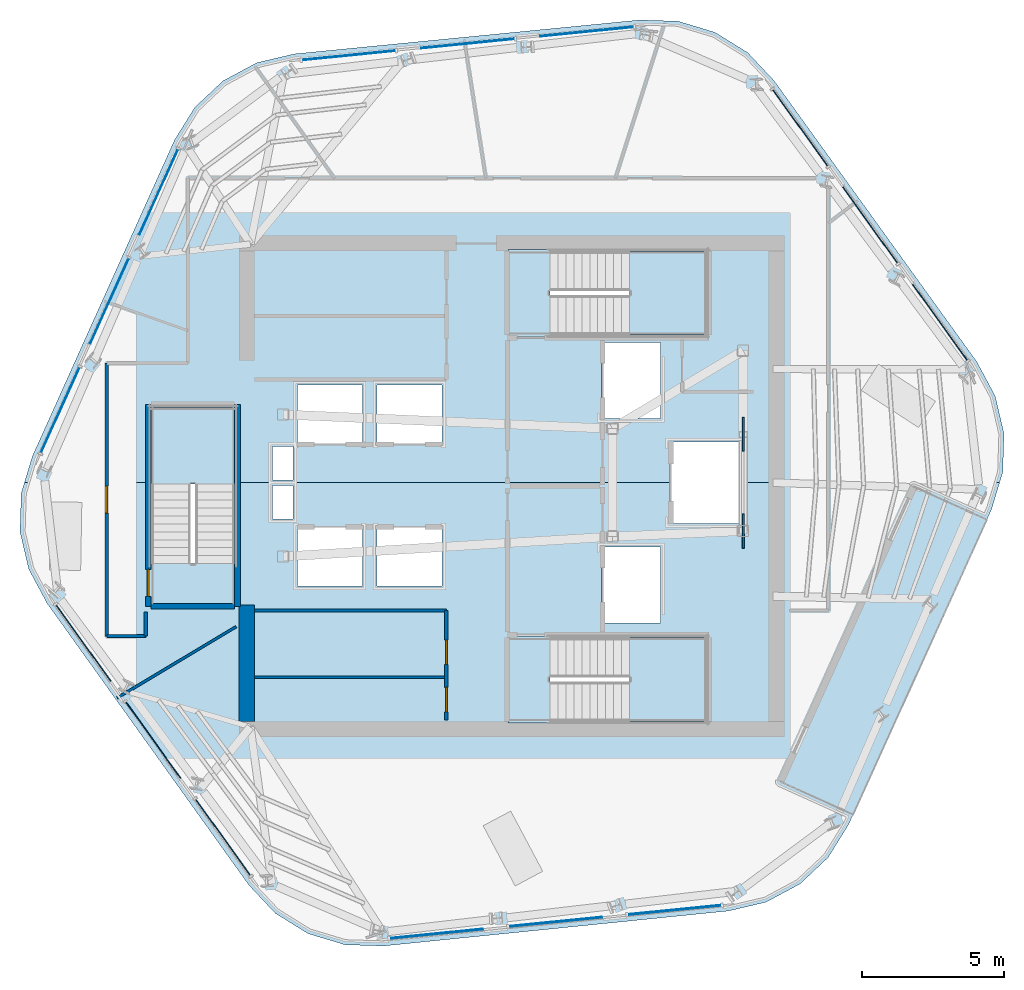
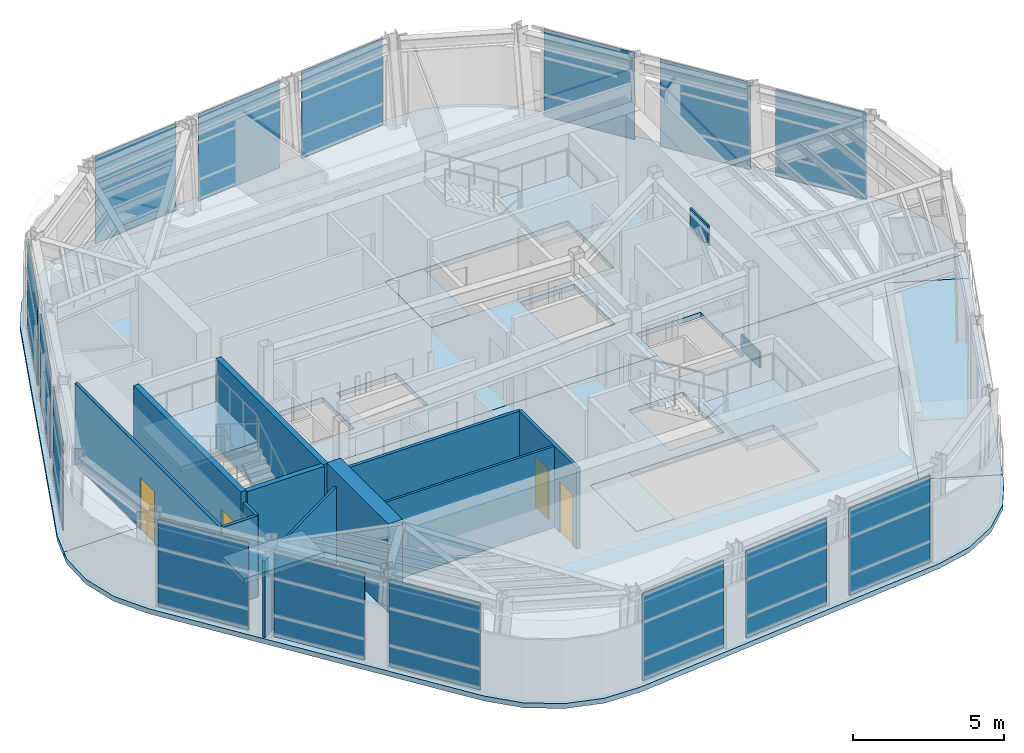
# One storey, part 5 of 12: 17 plates, 11 walls, 9 slabs, 4 doors, 4 openings, 8 elements without a shape of their own.
"""IFC4 building model written with IfcOpenShell, lengths in metres."""

from ifc_helpers import new_model, si_unit, direction, frame, frame_2d, origin, origin_2d, place, context, subcontext, project, spatial, polyline, rectangle, outline, extrude, material, layer, layer_set, type_object, element, fill, aggregate, save


model = new_model("IFC4")

# Units and contexts
model_context = context("Model", 3, precision=1e-05, world=origin(), true_north=direction((0.0, 1.0)))
body_context = subcontext(model_context, "Body", "Model", "MODEL_VIEW")
ifc_project = project(units=[si_unit("LENGTHUNIT", "METRE"), si_unit("AREAUNIT", "SQUARE_METRE"), si_unit("VOLUMEUNIT", "CUBIC_METRE"), si_unit("PLANEANGLEUNIT", "RADIAN"), si_unit("MASSUNIT", "GRAM", prefix="KILO")], contexts=[model_context])

# Site, building, storey
site_placement = place(None, origin())
site = spatial("IfcSite", under=ifc_project, at=site_placement, CompositionType="ELEMENT")
building_placement = place(site_placement, origin())
building = spatial("IfcBuilding", under=site, at=building_placement, Name="Valkerne Bourse Tower", CompositionType="ELEMENT")
storey_placement = place(building_placement, frame((0.0, 0.0, 307.800048828125)))
storey = spatial("IfcBuildingStorey", under=building, at=storey_placement, Name="L78", CompositionType="ELEMENT", Elevation=307.800048828125)

# Curtain wall, plates
ifc_material_1 = material(Name="Aluminium AA 6063-T6", Category="aluminium")
ifc_layer_1 = layer(ifc_material_1, 0.2451171875)
ifc_layer_set_1 = layer_set([ifc_layer_1], Name="Aluminium AA 6063-T6")
curtain_wall_type = type_object("IfcCurtainWallType", Name="CW-05", PredefinedType="NOTDEFINED", material=ifc_layer_set_1)
curtain_wall_1_placement = place(storey_placement, origin())
curtain_wall_1 = element("IfcCurtainWall", 1, at=curtain_wall_1_placement, inside=storey, type_object=curtain_wall_type, Name="L78 Hexagonal Stick Curtain Wall Face 1", PredefinedType="NOTDEFINED")
ifc_material_2 = material(Name="Glass IGU Low-E Double Glazed", Category="glass")
ifc_layer_2 = layer(ifc_material_2, 0.031982421875)
ifc_layer_set_2 = layer_set([ifc_layer_2], Name="Glass IGU Low-E Double Glazed")
plate_type_1 = type_object("IfcPlateType", Name="CW-PNL-IGU-32", PredefinedType="CURTAIN_PANEL", material=ifc_layer_set_2)
plate_1_placement = place(storey_placement, frame((49.447998046875, 42.88037109375, 0.030029296875), z_axis=(0.0, 0.0, 1.0), x_axis=(-0.995056212706, -0.099313310059, 0.0)))
plate_1 = element("IfcPlate", 2, at=plate_1_placement, type_object=plate_type_1, Name="CW-L78-F1 Curtain Panel 00", PredefinedType="CURTAIN_PANEL", context=body_context, shape_type="SweptSolid", body=[
    extrude(rectangle(XDim=3.2919921875, YDim=0.031982421875, at=origin_2d()), origin(), (0.0, 0.0, 1.0), 3.52001953125),
])
plate_2_placement = place(storey_placement, frame((45.256591796875, 42.4619140625, 0.030029296875), z_axis=(0.0, 0.0, 1.0), x_axis=(-0.995054100457, -0.099334471179, 0.0)))
plate_2 = element("IfcPlate", 3, at=plate_2_placement, type_object=plate_type_1, Name="CW-L78-F1 Curtain Panel 01", PredefinedType="CURTAIN_PANEL", context=body_context, shape_type="SweptSolid", body=[
    extrude(rectangle(XDim=3.2919921875, YDim=0.031982421875, at=origin_2d()), origin(), (0.0, 0.0, 1.0), 3.52001953125),
])
plate_3_placement = place(storey_placement, frame((41.065673828125, 42.04345703125, 0.030029296875), z_axis=(0.0, 0.0, 1.0), x_axis=(-0.995056446869, -0.099310963863, 0.0)))
plate_3 = element("IfcPlate", 4, at=plate_3_placement, type_object=plate_type_1, Name="CW-L78-F1 Curtain Panel 02", PredefinedType="CURTAIN_PANEL", context=body_context, shape_type="SweptSolid", body=[
    extrude(rectangle(XDim=3.2919921875, YDim=0.031982421875, at=origin_2d()), origin(), (0.0, 0.0, 1.0), 3.52001953125),
])
aggregate(curtain_wall_1, [plate_1, plate_2, plate_3])

curtain_wall_2_placement = place(storey_placement, origin())
curtain_wall_2 = element("IfcCurtainWall", 5, at=curtain_wall_2_placement, inside=storey, type_object=curtain_wall_type, Name="L78 Hexagonal Stick Curtain Wall Face 2", PredefinedType="NOTDEFINED")
plate_4_placement = place(storey_placement, frame((34.371337890625, 37.233154296875, 0.030029296875), z_axis=(0.0, 0.0, 1.0), x_axis=(-0.411517383555, -0.911401910812, 0.0)))
plate_4 = element("IfcPlate", 6, at=plate_4_placement, type_object=plate_type_1, Name="CW-L78-F2 Curtain Panel 00", PredefinedType="CURTAIN_PANEL", context=body_context, shape_type="SweptSolid", body=[
    extrude(rectangle(XDim=3.2919921875, YDim=0.031982421875, at=origin_2d()), origin(), (0.0, 0.0, 1.0), 3.52001953125),
])
plate_5_placement = place(storey_placement, frame((32.637939453125, 33.394287109375, 0.030029296875), z_axis=(0.0, 0.0, 1.0), x_axis=(-0.411517383555, -0.911401910812, 0.0)))
plate_5 = element("IfcPlate", 7, at=plate_5_placement, type_object=plate_type_1, Name="CW-L78-F2 Curtain Panel 01", PredefinedType="CURTAIN_PANEL", context=body_context, shape_type="SweptSolid", body=[
    extrude(rectangle(XDim=3.2919921875, YDim=0.031982421875, at=origin_2d()), origin(), (0.0, 0.0, 1.0), 3.52001953125),
])
plate_6_placement = place(storey_placement, frame((30.90478515625, 29.5556640625, 0.030029296875), z_axis=(0.0, 0.0, 1.0), x_axis=(-0.411517383555, -0.911401910812, 0.0)))
plate_6 = element("IfcPlate", 8, at=plate_6_placement, type_object=plate_type_1, Name="CW-L78-F2 Curtain Panel 02", PredefinedType="CURTAIN_PANEL", context=body_context, shape_type="SweptSolid", body=[
    extrude(rectangle(XDim=3.2919921875, YDim=0.031982421875, at=origin_2d()), origin(), (0.0, 0.0, 1.0), 3.52001953125),
])
aggregate(curtain_wall_2, [plate_4, plate_5, plate_6])

curtain_wall_3_placement = place(storey_placement, origin())
curtain_wall_3 = element("IfcCurtainWall", 9, at=curtain_wall_3_placement, inside=storey, type_object=curtain_wall_type, Name="L78 Hexagonal Stick Curtain Wall Face 3", PredefinedType="NOTDEFINED")
plate_7_placement = place(storey_placement, frame((31.723388671875, 21.35302734375, 0.030029296875), z_axis=(0.0, 0.0, 1.0), x_axis=(0.583555814605, -0.812073033194, 0.0)))
plate_7 = element("IfcPlate", 10, at=plate_7_placement, type_object=plate_type_1, Name="CW-L78-F3 Curtain Panel 00", PredefinedType="CURTAIN_PANEL", context=body_context, shape_type="SweptSolid", body=[
    extrude(rectangle(XDim=3.2919921875, YDim=0.031982421875, at=origin_2d()), origin(), (0.0, 0.0, 1.0), 3.52001953125),
])
plate_8_placement = place(storey_placement, frame((34.181396484375, 17.9326171875, 0.030029296875), z_axis=(0.0, 0.0, 1.0), x_axis=(0.583544563646, -0.812081118016, 0.0)))
plate_8 = element("IfcPlate", 11, at=plate_8_placement, type_object=plate_type_1, Name="CW-L78-F3 Curtain Panel 01", PredefinedType="CURTAIN_PANEL", context=body_context, shape_type="SweptSolid", body=[
    extrude(rectangle(XDim=3.2919921875, YDim=0.031982421875, at=origin_2d()), origin(), (0.0, 0.0, 1.0), 3.52001953125),
])
plate_9_placement = place(storey_placement, frame((36.63916015625, 14.511962890625, 0.030029296875), z_axis=(0.0, 0.0, 1.0), x_axis=(0.583544563646, -0.812081118016, 0.0)))
plate_9 = element("IfcPlate", 12, at=plate_9_placement, type_object=plate_type_1, Name="CW-L78-F3 Curtain Panel 02", PredefinedType="CURTAIN_PANEL", context=body_context, shape_type="SweptSolid", body=[
    extrude(rectangle(XDim=3.2919921875, YDim=0.031982421875, at=origin_2d()), origin(), (0.0, 0.0, 1.0), 3.52001953125),
])
aggregate(curtain_wall_3, [plate_7, plate_8, plate_9])

curtain_wall_4_placement = place(storey_placement, origin())
curtain_wall_4 = element("IfcCurtainWall", 13, at=curtain_wall_4_placement, inside=storey, type_object=curtain_wall_type, Name="L78 Hexagonal Stick Curtain Wall Face 4", PredefinedType="NOTDEFINED")
plate_10_placement = place(storey_placement, frame((44.152099609375, 11.11962890625, 0.030029296875), z_axis=(0.0, 0.0, 1.0), x_axis=(0.995056212706, 0.099313310059, 0.0)))
plate_10 = element("IfcPlate", 14, at=plate_10_placement, type_object=plate_type_1, Name="CW-L78-F4 Curtain Panel 00", PredefinedType="CURTAIN_PANEL", context=body_context, shape_type="SweptSolid", body=[
    extrude(rectangle(XDim=3.2919921875, YDim=0.031982421875, at=origin_2d()), origin(), (0.0, 0.0, 1.0), 3.52001953125),
])
plate_11_placement = place(storey_placement, frame((48.34326171875, 11.5380859375, 0.030029296875), z_axis=(0.0, 0.0, 1.0), x_axis=(0.995054100457, 0.099334471179, 0.0)))
plate_11 = element("IfcPlate", 15, at=plate_11_placement, type_object=plate_type_1, Name="CW-L78-F4 Curtain Panel 01", PredefinedType="CURTAIN_PANEL", context=body_context, shape_type="SweptSolid", body=[
    extrude(rectangle(XDim=3.2919921875, YDim=0.031982421875, at=origin_2d()), origin(), (0.0, 0.0, 1.0), 3.52001953125),
])
plate_12_placement = place(storey_placement, frame((52.534423828125, 11.95654296875, 0.030029296875), z_axis=(0.0, 0.0, 1.0), x_axis=(0.995056446869, 0.099310963863, 0.0)))
plate_12 = element("IfcPlate", 16, at=plate_12_placement, type_object=plate_type_1, Name="CW-L78-F4 Curtain Panel 02", PredefinedType="CURTAIN_PANEL", context=body_context, shape_type="SweptSolid", body=[
    extrude(rectangle(XDim=3.2919921875, YDim=0.031982421875, at=origin_2d()), origin(), (0.0, 0.0, 1.0), 3.52001953125),
])
aggregate(curtain_wall_4, [plate_10, plate_11, plate_12])

curtain_wall_5_placement = place(storey_placement, origin())
curtain_wall_5 = element("IfcCurtainWall", 17, at=curtain_wall_5_placement, inside=storey, type_object=curtain_wall_type, Name="L78 Hexagonal Stick Curtain Wall Face 6", PredefinedType="NOTDEFINED")
plate_13_placement = place(storey_placement, frame((61.876708984375, 32.64697265625, 0.030029296875), z_axis=(0.0, 0.0, 1.0), x_axis=(-0.583555814605, 0.812073033194, 0.0)))
plate_13 = element("IfcPlate", 18, at=plate_13_placement, type_object=plate_type_1, Name="CW-L78-F6 Curtain Panel 00", PredefinedType="CURTAIN_PANEL", context=body_context, shape_type="SweptSolid", body=[
    extrude(rectangle(XDim=3.2919921875, YDim=0.031982421875, at=origin_2d()), origin(), (0.0, 0.0, 1.0), 3.52001953125),
])
plate_14_placement = place(storey_placement, frame((59.418701171875, 36.0673828125, 0.030029296875), z_axis=(0.0, 0.0, 1.0), x_axis=(-0.583544563646, 0.812081118016, 0.0)))
plate_14 = element("IfcPlate", 19, at=plate_14_placement, type_object=plate_type_1, Name="CW-L78-F6 Curtain Panel 01", PredefinedType="CURTAIN_PANEL", context=body_context, shape_type="SweptSolid", body=[
    extrude(rectangle(XDim=3.2919921875, YDim=0.031982421875, at=origin_2d()), origin(), (0.0, 0.0, 1.0), 3.52001953125),
])
plate_15_placement = place(storey_placement, frame((56.960693359375, 39.48779296875, 0.030029296875), z_axis=(0.0, 0.0, 1.0), x_axis=(-0.583544563646, 0.812081118016, 0.0)))
plate_15 = element("IfcPlate", 20, at=plate_15_placement, type_object=plate_type_1, Name="CW-L78-F6 Curtain Panel 02", PredefinedType="CURTAIN_PANEL", context=body_context, shape_type="SweptSolid", body=[
    extrude(rectangle(XDim=3.2919921875, YDim=0.031982421875, at=origin_2d()), origin(), (0.0, 0.0, 1.0), 3.52001953125),
])
aggregate(curtain_wall_5, [plate_13, plate_14, plate_15])

# Plates
ifc_material_3 = material(Name="Steel ASTM A572 Grade 50", Category="steel")
ifc_layer_3 = layer(ifc_material_3, 0.06005859375)
ifc_layer_set_3 = layer_set([ifc_layer_3], Name="Steel ASTM A572 Grade 50")
plate_type_2 = type_object("IfcPlateType", Name="PLT-GUS-60", PredefinedType="SHEET", material=ifc_layer_set_3)
for number, where, z_axis, x_axis, name in (
    (21, (54.949951171875, 25.300048828125, -0.18017578125), (0.0, 0.0, 1.0), (0.0, 1.0, 0.0), "L78 Brace Node Gusset Plate PLT-GUS-END-L78-472"),
    (22, (54.949951171875, 28.699951171875, 2.8740234375), (0.0, 0.0, 1.0), (0.0, 1.0, 0.0), "L78 Brace Node Gusset Plate PLT-GUS-END-L78-473"),
):
    element("IfcPlate", number, at=place(storey_placement, frame(where, z_axis=z_axis, x_axis=x_axis)), inside=storey, type_object=plate_type_2, Name=name, PredefinedType="SHEET", context=body_context, shape_type="SweptSolid", body=[
        extrude(rectangle(XDim=1.199951171875, YDim=0.06005859375, at=origin_2d()), origin(), (0.0, 0.0, 1.0), 0.800048828125),
    ])

# Slabs
ifc_material_4 = material(Name="Concrete C40/50", Category="concrete")
ifc_layer_4 = layer(ifc_material_4, 0.25)
ifc_layer_set_4 = layer_set([ifc_layer_4], Name="Concrete C40/50")
slab_type_1 = type_object("IfcSlabType", Name="SLB-RMP-LND-250", PredefinedType="LANDING", material=ifc_layer_set_4)
slab_1_placement = place(storey_placement, frame((0.0, 0.0, -0.199951171875)))
element("IfcSlab", 23, at=slab_1_placement, inside=storey, type_object=slab_type_1, Name="L78 ST-1 Floor Landing Slab", PredefinedType="LANDING", context=body_context, shape_type="SweptSolid", body=[
    extrude(outline(polyline([(46.669921875, 18.5400390625), (48.14990234375, 18.5400390625), (48.14990234375, 21.610107421875), (46.669921875, 21.610107421875), (46.669921875, 18.5400390625)])), origin(), (0.0, 0.0, 1.0), 0.199951171875),
])
slab_2_placement = place(storey_placement, frame((0.0, 0.0, -0.199951171875)))
element("IfcSlab", 24, at=slab_2_placement, inside=storey, type_object=slab_type_1, Name="L78 ST-2 Floor Landing Slab", PredefinedType="LANDING", context=body_context, shape_type="SweptSolid", body=[
    extrude(outline(polyline([(46.669921875, 32.139892578125), (48.14990234375, 32.139892578125), (48.14990234375, 35.2099609375), (46.669921875, 35.2099609375), (46.669921875, 32.139892578125)])), origin(), (0.0, 0.0, 1.0), 0.199951171875),
])
slab_3_placement = place(storey_placement, frame((0.0, 0.0, -0.199951171875)))
element("IfcSlab", 25, at=slab_3_placement, inside=storey, type_object=slab_type_1, Name="L78 ST-3 Floor Landing Slab", PredefinedType="LANDING", context=body_context, shape_type="SweptSolid", body=[
    extrude(outline(polyline([(37.110107421875, 22.669921875), (37.110107421875, 24.14990234375), (34.0400390625, 24.14990234375), (34.0400390625, 22.669921875), (37.110107421875, 22.669921875)])), origin(), (0.0, 0.0, 1.0), 0.199951171875),
])

# Stair, slab
stair_type = type_object("IfcStairType", Name="ST-CORE-1400", PredefinedType="HALF_TURN_STAIR", material=ifc_material_4)
stair_1_placement = place(storey_placement, origin())
stair_1 = element("IfcStair", 26, at=stair_1_placement, inside=storey, type_object=stair_type, Name="L78 ST-1", PredefinedType="HALF_TURN_STAIR")
ifc_layer_5 = layer(ifc_material_4, 0.179931640625)
ifc_layer_set_5 = layer_set([ifc_layer_5], Name="Concrete C40/50")
slab_type_2 = type_object("IfcSlabType", Name="SLB-ST-LND-180", PredefinedType="LANDING", material=ifc_layer_set_5)
slab_4_placement = place(storey_placement, frame((0.0, 0.0, 1.699951171875)))
slab_4 = element("IfcSlab", 27, at=slab_4_placement, type_object=slab_type_2, Name="ST-1 landing 1", PredefinedType="LANDING", context=body_context, shape_type="SweptSolid", body=[
    extrude(outline(polyline([(50.949951171875, 18.60009765625), (53.64990234375, 18.60009765625), (53.64990234375, 21.550048828125), (50.949951171875, 21.550048828125), (50.949951171875, 18.60009765625)])), origin(), (0.0, 0.0, 1.0), 0.199951171875),
])
aggregate(stair_1, [slab_4])

stair_2_placement = place(storey_placement, origin())
stair_2 = element("IfcStair", 28, at=stair_2_placement, inside=storey, type_object=stair_type, Name="L78 ST-2", PredefinedType="HALF_TURN_STAIR")
slab_5_placement = place(storey_placement, frame((0.0, 0.0, 1.699951171875)))
slab_5 = element("IfcSlab", 29, at=slab_5_placement, type_object=slab_type_2, Name="ST-2 landing 1", PredefinedType="LANDING", context=body_context, shape_type="SweptSolid", body=[
    extrude(outline(polyline([(50.949951171875, 32.199951171875), (53.64990234375, 32.199951171875), (53.64990234375, 35.14990234375), (50.949951171875, 35.14990234375), (50.949951171875, 32.199951171875)])), origin(), (0.0, 0.0, 1.0), 0.199951171875),
])
aggregate(stair_2, [slab_5])

stair_3_placement = place(storey_placement, origin())
stair_3 = element("IfcStair", 30, at=stair_3_placement, inside=storey, type_object=stair_type, Name="L78 ST-3", PredefinedType="HALF_TURN_STAIR")
slab_6_placement = place(storey_placement, frame((0.0, 0.0, 1.699951171875)))
slab_6 = element("IfcSlab", 31, at=slab_6_placement, type_object=slab_type_2, Name="ST-3 landing 1", PredefinedType="LANDING", context=body_context, shape_type="SweptSolid", body=[
    extrude(outline(polyline([(37.050048828125, 26.949951171875), (37.050048828125, 29.64990234375), (34.10009765625, 29.64990234375), (34.10009765625, 26.949951171875), (37.050048828125, 26.949951171875)])), origin(), (0.0, 0.0, 1.0), 0.199951171875),
])
aggregate(stair_3, [slab_6])

# Slabs
ifc_layer_6 = layer(ifc_material_4, 0.199951171875)
ifc_layer_set_6 = layer_set([ifc_layer_6], Name="Concrete C40/50")
slab_type_3 = type_object("IfcSlabType", Name="SLB-TER-200", PredefinedType="FLOOR", material=ifc_layer_set_6)
slab_7_placement = place(storey_placement, frame((0.0, 0.0, -0.199951171875)))
element("IfcSlab", 32, at=slab_7_placement, inside=storey, type_object=slab_type_3, Name="L78 V-Notch Stepped Outdoor Terrace Slab", PredefinedType="FLOOR", context=body_context, shape_type="SweptSolid", body=[
    extrude(outline(polyline([(58.8203125, 15.318603515625), (56.267578125, 16.47119140625), (60.958984375, 26.861083984375), (63.528564453125, 25.70068359375), (58.8203125, 15.318603515625)])), origin(), (0.0, 0.0, 1.0), 0.199951171875),
])
ifc_layer_7 = layer(ifc_material_4, 0.199951171875)
ifc_layer_set_7 = layer_set([ifc_layer_7], Name="Concrete C40/50")
slab_type_4 = type_object("IfcSlabType", Name="SLB-TOW-200", PredefinedType="FLOOR", material=ifc_layer_set_7)
slab_8_placement = place(storey_placement, frame((0.0, 0.0, -0.199951171875)))
element("IfcSlab", 33, at=slab_8_placement, inside=storey, type_object=slab_type_4, Name="L78 Hexagonal Composite Floor Slab S", PredefinedType="FLOOR", context=body_context, shape_type="SweptSolid", body=[
    extrude(outline(polyline([(56.950927734375, 12.873291015625), (55.754638671875, 12.23193359375), (54.43310546875, 11.921875), (42.2880859375, 10.689453125), (40.931396484375, 10.73193359375), (39.6318359375, 11.12451171875), (38.478271484375, 11.839599609375), (37.548828125, 12.829345703125), (30.44189453125, 22.75439453125), (29.80029296875, 23.95068359375), (29.490478515625, 25.272216796875), (29.533203125, 26.629150390625), (29.64501953125, 27.0), (34.034912109375, 27.0), (34.034912109375, 22.6650390625), (37.114990234375, 22.6650390625), (37.114990234375, 27.0), (52.360107421875, 27.0), (52.360107421875, 25.56005859375), (54.840087890625, 25.56005859375), (54.840087890625, 27.0), (63.977294921875, 27.0), (63.69775390625, 26.07373046875), (63.528564453125, 25.70068359375), (60.958984375, 26.861083984375), (56.267578125, 16.47119140625), (58.8203125, 15.318603515625), (58.656005859375, 14.956298828125), (57.940673828125, 13.802490234375), (56.950927734375, 12.873291015625)]), holes=[polyline([(39.260009765625, 25.43994140625), (39.260009765625, 23.360107421875), (41.5400390625, 23.360107421875), (41.5400390625, 25.43994140625), (39.260009765625, 25.43994140625)]), polyline([(44.340087890625, 25.43994140625), (42.06005859375, 25.43994140625), (42.06005859375, 23.360107421875), (44.340087890625, 23.360107421875), (44.340087890625, 25.43994140625)]), polyline([(38.3798828125, 26.89990234375), (38.3798828125, 25.72998046875), (39.10009765625, 25.72998046875), (39.10009765625, 26.89990234375), (38.3798828125, 26.89990234375)]), polyline([(46.6650390625, 21.614990234375), (46.6650390625, 18.534912109375), (53.675048828125, 18.534912109375), (53.675048828125, 21.614990234375), (46.6650390625, 21.614990234375)]), polyline([(52.0400390625, 24.739990234375), (49.9599609375, 24.739990234375), (49.9599609375, 22.06005859375), (52.0400390625, 22.06005859375), (52.0400390625, 24.739990234375)])]), origin(), (0.0, 0.0, 1.0), 0.199951171875),
])
slab_9_placement = place(storey_placement, frame((0.0, 0.0, -0.199951171875)))
element("IfcSlab", 34, at=slab_9_placement, inside=storey, type_object=slab_type_4, Name="L78 Hexagonal Composite Floor Slab N", PredefinedType="FLOOR", context=body_context, shape_type="SweptSolid", body=[
    extrude(outline(polyline([(29.92529296875, 27.9287109375), (34.930419921875, 39.0625), (35.645751953125, 40.21630859375), (36.635498046875, 41.1455078125), (37.831787109375, 41.787109375), (39.1533203125, 42.096923828125), (51.30224609375, 43.289306640625), (52.658935546875, 43.24658203125), (53.95849609375, 42.8544921875), (55.1123046875, 42.138916015625), (56.04150390625, 41.1494140625), (63.181396484375, 31.248046875), (63.82275390625, 30.051513671875), (64.1328125, 28.72998046875), (64.090087890625, 27.373291015625), (63.977294921875, 27.0), (54.840087890625, 27.0), (54.840087890625, 28.43994140625), (52.360107421875, 28.43994140625), (52.360107421875, 27.0), (37.114990234375, 27.0), (37.114990234375, 29.675048828125), (34.034912109375, 29.675048828125), (34.034912109375, 27.0), (29.64501953125, 27.0), (29.92529296875, 27.9287109375)]), holes=[polyline([(39.10009765625, 28.27001953125), (38.3798828125, 28.27001953125), (38.3798828125, 27.10009765625), (39.10009765625, 27.10009765625), (39.10009765625, 28.27001953125)]), polyline([(41.5400390625, 30.43994140625), (39.260009765625, 30.43994140625), (39.260009765625, 28.360107421875), (41.5400390625, 28.360107421875), (41.5400390625, 30.43994140625)]), polyline([(42.06005859375, 30.43994140625), (42.06005859375, 28.360107421875), (44.340087890625, 28.360107421875), (44.340087890625, 30.43994140625), (42.06005859375, 30.43994140625)]), polyline([(52.0400390625, 31.93994140625), (49.9599609375, 31.93994140625), (49.9599609375, 29.260009765625), (52.0400390625, 29.260009765625), (52.0400390625, 31.93994140625)]), polyline([(53.675048828125, 35.215087890625), (46.6650390625, 35.215087890625), (46.6650390625, 32.135009765625), (53.675048828125, 32.135009765625), (53.675048828125, 35.215087890625)])]), origin(), (0.0, 0.0, 1.0), 0.199951171875),
])

# Wall
ifc_material_5 = material(Name="Concrete C55/67", Category="concrete")
ifc_layer_8 = layer(ifc_material_5, 0.550048828125)
ifc_layer_set_8 = layer_set([ifc_layer_8], Name="Concrete C55/67")
wall_type_1 = type_object("IfcWallType", Name="W-CORE-550", PredefinedType="SHEAR", material=ifc_layer_set_8)
wall_1_placement = place(storey_placement, frame((37.47509765625, 18.60009765625, 0.0), z_axis=(0.0, 0.0, 1.0), x_axis=(0.0, 1.0, 0.0)))
element("IfcWall", 35, at=wall_1_placement, inside=storey, type_object=wall_type_1, Name="L78 Core Shear Wall WEST-S", PredefinedType="SHEAR", context=body_context, shape_type="SweptSolid", body=[
    extrude(rectangle(XDim=4.099853515625, YDim=0.550048828125, at=frame_2d((2.0498046875, 0.0))), origin(), (0.0, 0.0, 1.0), 3.579833984375),
])

# Wall, openings, doors
ifc_material_6 = material(Name="Gypsum Board Steel-Stud Partition", Category="steel")
ifc_layer_9 = layer(ifc_material_6, 0.117919921875)
ifc_layer_set_9 = layer_set([ifc_layer_9], Name="Gypsum Board Steel-Stud Partition")
wall_type_2 = type_object("IfcWallType", Name="W-CORR-140", PredefinedType="PARTITIONING", material=ifc_layer_set_9)
wall_2_placement = place(storey_placement, frame((44.5, 18.64990234375, 0.0), z_axis=(0.0, 0.0, 1.0), x_axis=(0.0, 1.0, 0.0)))
wall_2 = element("IfcWall", 36, at=wall_2_placement, inside=storey, type_object=wall_type_2, Name="L78 LV7 Low-Bank East Wall", PredefinedType="PARTITIONING", context=body_context, shape_type="SweptSolid", body=[
    extrude(rectangle(XDim=3.85009765625, YDim=0.117919921875, at=frame_2d((1.925048828125, 0.0))), origin(), (0.0, 0.0, 1.0), 3.280029296875),
])
opening_1_placement = place(wall_2_placement, frame((0.280029296875, 0.0, 0.0)))
opening_1 = element("IfcOpeningElement", 37, at=opening_1_placement, cuts=wall_2, Name="Opening D-WC-900", PredefinedType="OPENING", context=body_context, shape_type="SweptSolid", body=[
    extrude(rectangle(XDim=0.860107421875, YDim=2.050048828125, at=frame_2d((0.43017578125, 1.02490234375))), frame((0.0, 0.06884765625, 0.0), z_axis=(0.0, -1.0, 0.0), x_axis=(1.0, 0.0, 0.0)), (0.0, 0.0, 1.0), 0.137939453125),
])
opening_2_placement = place(wall_2_placement, frame((1.949951171875, 0.0, 0.0)))
opening_2 = element("IfcOpeningElement", 38, at=opening_2_placement, cuts=wall_2, Name="Opening D-WC-900", PredefinedType="OPENING", context=body_context, shape_type="SweptSolid", body=[
    extrude(rectangle(XDim=0.860107421875, YDim=2.050048828125, at=frame_2d((0.43017578125, 1.02490234375))), frame((0.0, 0.06884765625, 0.0), z_axis=(0.0, -1.0, 0.0), x_axis=(1.0, 0.0, 0.0)), (0.0, 0.0, 1.0), 0.137939453125),
])
ifc_material_7 = material(Name="Architectural White Oak Timber", Category="wood")
door_type_1 = type_object("IfcDoorType", Name="DR-WC-900", OperationType="NOTDEFINED", PredefinedType="DOOR", material=ifc_material_7)
door_1_placement = place(opening_1_placement, origin())
door_1 = element("IfcDoor", 39, at=door_1_placement, inside=storey, type_object=door_type_1, Name="L78 Tea Pantry Door", OperationType="SINGLE_SWING_RIGHT", OverallHeight=2.050048828125, OverallWidth=0.860107421875, PredefinedType="DOOR", context=body_context, shape_type="SweptSolid", body=[
    extrude(rectangle(XDim=0.860107421875, YDim=2.050048828125, at=frame_2d((0.43017578125, 1.02490234375))), frame((0.0, 0.02490234375, 0.0), z_axis=(0.0, -1.0, 0.0), x_axis=(1.0, 0.0, 0.0)), (0.0, 0.0, 1.0), 0.050048828125),
])
fill(opening_1, door_1)
door_2_placement = place(opening_2_placement, origin())
door_2 = element("IfcDoor", 40, at=door_2_placement, inside=storey, type_object=door_type_1, Name="L78 Portfolio Risk Office Door", OperationType="SINGLE_SWING_RIGHT", OverallHeight=2.050048828125, OverallWidth=0.860107421875, PredefinedType="DOOR", context=body_context, shape_type="SweptSolid", body=[
    extrude(rectangle(XDim=0.860107421875, YDim=2.050048828125, at=frame_2d((0.43017578125, 1.02490234375))), frame((0.0, 0.02490234375, 0.0), z_axis=(0.0, -1.0, 0.0), x_axis=(1.0, 0.0, 0.0)), (0.0, 0.0, 1.0), 0.050048828125),
])
fill(opening_2, door_2)

# Walls
wall_3_placement = place(storey_placement, frame((37.75, 22.5, 0.0), z_axis=(0.0, 0.0, 1.0), x_axis=(1.0, 0.0, 0.0)))
element("IfcWall", 41, at=wall_3_placement, inside=storey, type_object=wall_type_2, Name="L78 LV7 Low-Bank North Wall", PredefinedType="PARTITIONING", context=body_context, shape_type="SweptSolid", body=[
    extrude(rectangle(XDim=6.75, YDim=0.117919921875, at=frame_2d((3.375, 0.0))), origin(), (0.0, 0.0, 1.0), 3.280029296875),
])
wall_4_placement = place(storey_placement, frame((33.91796875, 22.43994140625, 0.0), z_axis=(0.0, 0.0, 1.0), x_axis=(0.002325575107, -0.999997295847, 0.0)))
element("IfcWall", 42, at=wall_4_placement, inside=storey, type_object=wall_type_2, Name="L78 Corridor Enclosure Wall", PredefinedType="PARTITIONING", context=body_context, shape_type="SweptSolid", body=[
    extrude(rectangle(XDim=0.83984375, YDim=0.117919921875, at=frame_2d((0.419921875, 0.0))), origin(), (0.0, 0.0, 1.0), 3.280029296875),
])
wall_5_placement = place(storey_placement, frame((33.919921875, 21.60009765625, 0.0), z_axis=(0.0, 0.0, 1.0), x_axis=(-1.0, 0.0, 0.0)))
element("IfcWall", 43, at=wall_5_placement, inside=storey, type_object=wall_type_2, Name="L78 Corridor Enclosure Wall", PredefinedType="PARTITIONING", context=body_context, shape_type="SweptSolid", body=[
    extrude(rectangle(XDim=1.369873046875, YDim=0.117919921875, at=frame_2d((0.68505859375, 0.0))), origin(), (0.0, 0.0, 1.0), 3.280029296875),
])

# Wall, opening, door
wall_6_placement = place(storey_placement, frame((32.550048828125, 21.60009765625, 0.0), z_axis=(0.0, 0.0, 1.0), x_axis=(0.0, 1.0, 0.0)))
wall_6 = element("IfcWall", 44, at=wall_6_placement, inside=storey, type_object=wall_type_2, Name="L78 Corridor Enclosure Wall", PredefinedType="PARTITIONING", context=body_context, shape_type="SweptSolid", body=[
    extrude(rectangle(XDim=9.599853515625, YDim=0.117919921875, at=frame_2d((4.7998046875, 0.0))), origin(), (0.0, 0.0, 1.0), 3.280029296875),
])
opening_3_placement = place(wall_6_placement, frame((4.324951171875, 0.0, 0.0)))
opening_3 = element("IfcOpeningElement", 45, at=opening_3_placement, cuts=wall_6, Name="Opening D-OF-950", PredefinedType="OPENING", context=body_context, shape_type="SweptSolid", body=[
    extrude(rectangle(XDim=0.949951171875, YDim=2.10009765625, at=frame_2d((0.47509765625, 1.050048828125))), frame((0.0, 0.06884765625, 0.0), z_axis=(0.0, -1.0, 0.0), x_axis=(1.0, 0.0, 0.0)), (0.0, 0.0, 1.0), 0.137939453125),
])
door_type_2 = type_object("IfcDoorType", Name="DR-OFF-950", OperationType="NOTDEFINED", PredefinedType="DOOR", material=ifc_material_7)
door_3_placement = place(opening_3_placement, origin())
door_3 = element("IfcDoor", 46, at=door_3_placement, inside=storey, type_object=door_type_2, Name="L78 L78 Exchange Security Control Room 5 Door", OperationType="SINGLE_SWING_LEFT", OverallHeight=2.10009765625, OverallWidth=0.949951171875, PredefinedType="DOOR", context=body_context, shape_type="SweptSolid", body=[
    extrude(rectangle(XDim=0.949951171875, YDim=2.10009765625, at=frame_2d((0.47509765625, 1.050048828125))), frame((0.0, 0.02490234375, 0.0), z_axis=(0.0, -1.0, 0.0), x_axis=(1.0, 0.0, 0.0)), (0.0, 0.0, 1.0), 0.050048828125),
])
fill(opening_3, door_3)

# Walls
ifc_layer_10 = layer(ifc_material_6, 0.092041015625)
ifc_layer_set_10 = layer_set([ifc_layer_10], Name="Gypsum Board Steel-Stud Partition")
wall_type_3 = type_object("IfcWallType", Name="W-PART-115", PredefinedType="PARTITIONING", material=ifc_layer_set_10)
wall_7_placement = place(storey_placement, frame((37.75, 20.14990234375, 0.0), z_axis=(0.0, 0.0, 1.0), x_axis=(1.0, 0.0, 0.0)))
element("IfcWall", 47, at=wall_7_placement, inside=storey, type_object=wall_type_3, Name="L78 LV7 Low-Bank Sub-Divider", PredefinedType="PARTITIONING", context=body_context, shape_type="SweptSolid", body=[
    extrude(rectangle(XDim=6.75, YDim=0.092041015625, at=frame_2d((3.375, 0.0))), origin(), (0.0, 0.0, 1.0), 3.280029296875),
])
wall_8_placement = place(storey_placement, frame((37.10009765625, 21.930419921875, 0.0), z_axis=(0.0, 0.0, 1.0), x_axis=(-0.857863491595, -0.513877640872, 0.0)))
element("IfcWall", 48, at=wall_8_placement, inside=storey, type_object=wall_type_3, Name="L78 Suite Partition P05", PredefinedType="PARTITIONING", context=body_context, shape_type="SweptSolid", body=[
    extrude(rectangle(XDim=4.880126953125, YDim=0.092041015625, at=frame_2d((2.43994140625, 0.0))), origin(), (0.0, 0.0, 1.0), 3.11279296875),
])

# Wall, opening, door
ifc_layer_11 = layer(ifc_material_4, 0.199951171875)
ifc_layer_set_11 = layer_set([ifc_layer_11], Name="Concrete C40/50")
wall_type_4 = type_object("IfcWallType", Name="W-SHF-200", PredefinedType="SHEAR", material=ifc_layer_set_11)
wall_9_placement = place(storey_placement, frame((34.0, 22.64990234375, 0.0), z_axis=(0.0, 0.0, 1.0), x_axis=(0.0, 1.0, 0.0)))
wall_9 = element("IfcWall", 49, at=wall_9_placement, inside=storey, type_object=wall_type_4, Name="L78 Exit Stair ST-3 Structural Shaft Wall West", PredefinedType="SHEAR", context=body_context, shape_type="SweptSolid", body=[
    extrude(rectangle(XDim=7.10009765625, YDim=0.199951171875, at=frame_2d((3.550048828125, 0.0))), origin(), (0.0, 0.0, 1.0), 3.579833984375),
])
opening_4_placement = place(wall_9_placement, frame((0.35009765625, 0.0, 0.0)))
opening_4 = element("IfcOpeningElement", 50, at=opening_4_placement, cuts=wall_9, Name="Opening D-ST-950", PredefinedType="OPENING", context=body_context, shape_type="SweptSolid", body=[
    extrude(rectangle(XDim=0.949951171875, YDim=2.10009765625, at=frame_2d((0.47509765625, 1.050048828125))), frame((0.0, 0.10986328125, 0.0), z_axis=(0.0, -1.0, 0.0), x_axis=(1.0, 0.0, 0.0)), (0.0, 0.0, 1.0), 0.219970703125),
])
ifc_material_8 = material(Name="Galvanised Painted Steel", Category="steel")
door_type_3 = type_object("IfcDoorType", Name="DR-STAIR-950", OperationType="NOTDEFINED", PredefinedType="DOOR", material=ifc_material_8)
door_4_placement = place(opening_4_placement, origin())
door_4 = element("IfcDoor", 51, at=door_4_placement, inside=storey, type_object=door_type_3, Name="L78 Exit Stair ST-3 Door", OperationType="SINGLE_SWING_LEFT", OverallHeight=2.10009765625, OverallWidth=0.949951171875, PredefinedType="DOOR", context=body_context, shape_type="SweptSolid", body=[
    extrude(rectangle(XDim=0.949951171875, YDim=2.10009765625, at=frame_2d((0.47509765625, 1.050048828125))), frame((0.0, 0.02490234375, 0.0), z_axis=(0.0, -1.0, 0.0), x_axis=(1.0, 0.0, 0.0)), (0.0, 0.0, 1.0), 0.050048828125),
])
fill(opening_4, door_4)

# Walls
wall_10_placement = place(storey_placement, frame((34.10009765625, 22.64990234375, 0.0), z_axis=(0.0, 0.0, 1.0), x_axis=(1.0, 0.0, 0.0)))
element("IfcWall", 52, at=wall_10_placement, inside=storey, type_object=wall_type_4, Name="L78 Exit Stair ST-3 Structural Shaft Wall South", PredefinedType="SHEAR", context=body_context, shape_type="SweptSolid", body=[
    extrude(rectangle(XDim=2.949951171875, YDim=0.199951171875, at=frame_2d((1.47509765625, 0.0))), origin(), (0.0, 0.0, 1.0), 3.579833984375),
])
wall_11_placement = place(storey_placement, frame((37.14990234375, 22.64990234375, 0.0), z_axis=(0.0, 0.0, 1.0), x_axis=(0.0, 1.0, 0.0)))
element("IfcWall", 53, at=wall_11_placement, inside=storey, type_object=wall_type_4, Name="L78 Exit Stair ST-3 Structural Shaft Wall East", PredefinedType="SHEAR", context=body_context, shape_type="SweptSolid", body=[
    extrude(rectangle(XDim=7.10009765625, YDim=0.199951171875, at=frame_2d((3.550048828125, 0.0))), origin(), (0.0, 0.0, 1.0), 3.579833984375),
])

save(model, "model.ifc")
